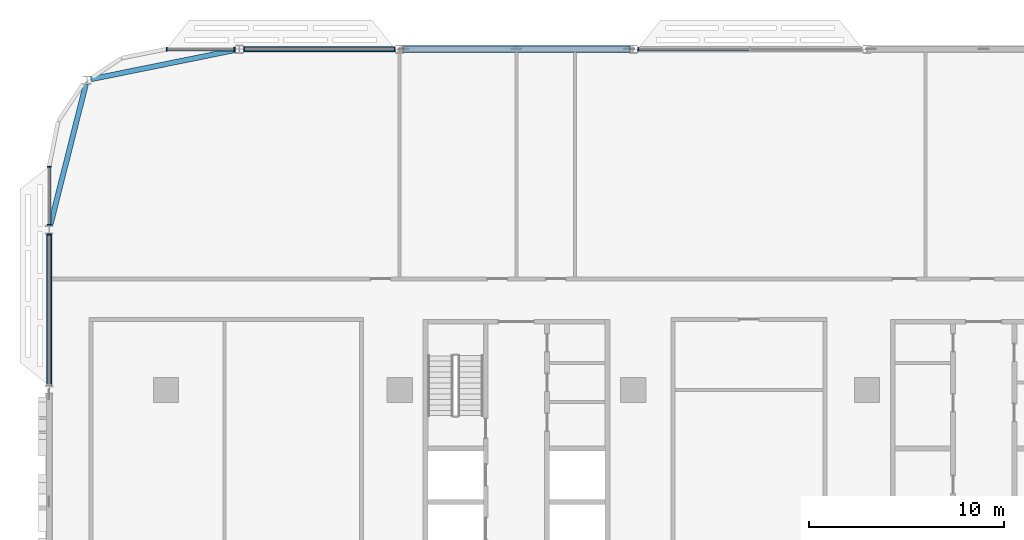
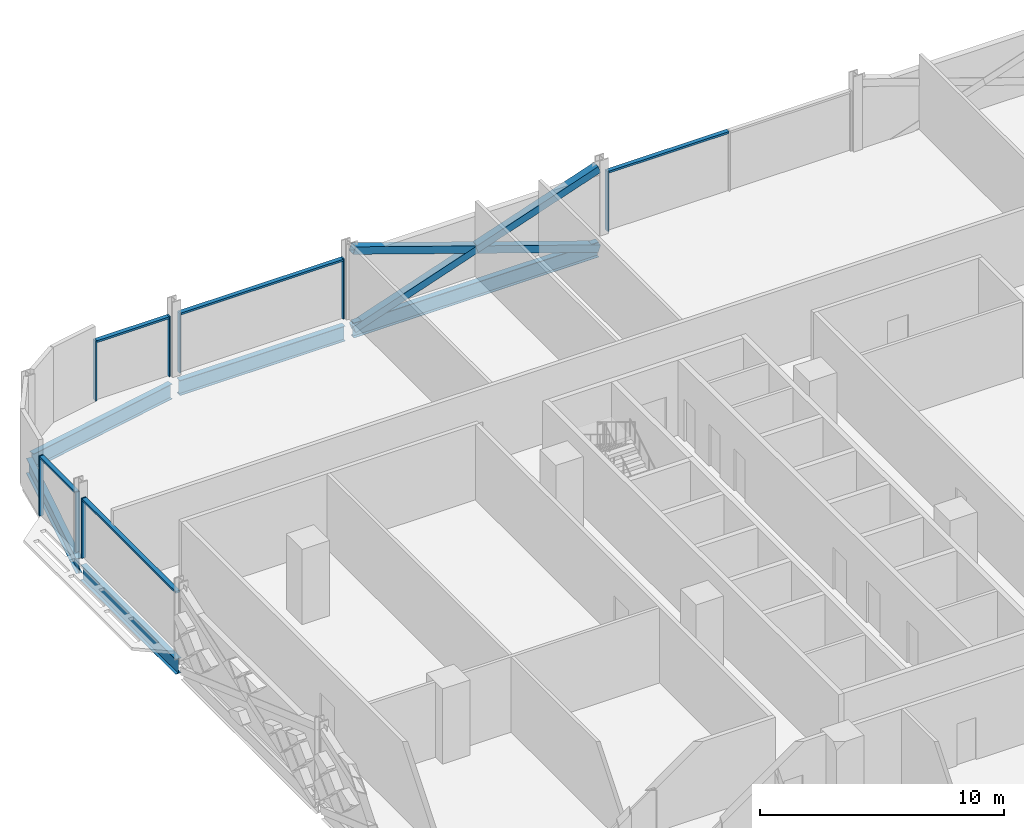
# One storey, part 6 of 29: 16 members, 5 beams, 5 elements without a shape of their own.
"""IFC4 building model written with IfcOpenShell, lengths in metres."""

import ifcopenshell
import ifcopenshell.guid

model = None  # the IFC model being written
_history = None  # IfcOwnerHistory: only IFC2X3 demands one
_inside = {}  # id of a spatial element -> (the spatial element, [elements in it])
_under = {}  # id of a project, library or spatial element -> (it, [spatial elements below it])
_declared = {}  # id of a project -> (the project, [libraries it declares])
_typed = {}  # id of a type object -> (the type object, [elements of that type])
_made_of = {}  # id of a material, layer set ... -> (it, [elements and type objects made of it])


def new_model(schema):
    """Start an empty IFC model of exactly this schema.

    Asked for "IFC4X3", IfcOpenShell would pick the latest addendum, in which some entities
    have other attributes; the version numbers below select the first issue.
    IFC2X3 requires an IfcOwnerHistory on every rooted entity: one is made here for all.
    """
    global model, _history
    if schema == "IFC4X3":
        model = ifcopenshell.file(schema_version=(4, 3, 0, 0))
    else:
        model = ifcopenshell.file(schema=schema)
    _inside.clear()
    _under.clear()
    _declared.clear()
    _typed.clear()
    _made_of.clear()
    _history = None
    if model.schema == "IFC2X3":
        org = make("IfcOrganization", Name="unknown")
        user = make(
            "IfcPersonAndOrganization",
            ThePerson=make("IfcPerson", FamilyName="unknown"),
            TheOrganization=org,
        )
        app = make(
            "IfcApplication",
            ApplicationDeveloper=org,
            Version="unknown",
            ApplicationFullName="unknown",
            ApplicationIdentifier="unknown",
        )
        _history = make(
            "IfcOwnerHistory",
            OwningUser=user,
            OwningApplication=app,
            ChangeAction="ADDED",
            CreationDate=0,
        )
    return model


def make(cls, **values):
    """One entity of the class cls with the attributes given. An attribute that is None is left unset."""
    return model.create_entity(
        cls, **{name: value for name, value in values.items() if value is not None}
    )


def rooted(cls, **values):
    """An entity with a GlobalId (a new one), such as an element, a storey or a relation."""
    return make(cls, GlobalId=ifcopenshell.guid.new(), OwnerHistory=_history, **values)


def si_unit(unit_type, name, prefix=None):
    """IfcSIUnit, for example si_unit("LENGTHUNIT", "METRE", prefix="MILLI")."""
    return make("IfcSIUnit", UnitType=unit_type, Prefix=prefix, Name=name)


def assignment(units):
    """IfcUnitAssignment: the units of a project."""
    return None if units is None else make("IfcUnitAssignment", Units=units)


def point(xyz):
    """IfcCartesianPoint."""
    return None if xyz is None else make("IfcCartesianPoint", Coordinates=xyz)


def direction(xyz):
    """IfcDirection."""
    return None if xyz is None else make("IfcDirection", DirectionRatios=xyz)


def frame(location, z_axis=None, x_axis=None):
    """IfcAxis2Placement3D, a coordinate frame: its origin and axes. An axis left out is left unset."""
    return make(
        "IfcAxis2Placement3D",
        Location=point(location),
        Axis=direction(z_axis),
        RefDirection=direction(x_axis),
    )


def frame_2d(location, x_axis=None):
    """IfcAxis2Placement2D, a coordinate frame in the plane: its origin and x axis."""
    return make(
        "IfcAxis2Placement2D", Location=point(location), RefDirection=direction(x_axis)
    )


def origin():
    """The frame at (0, 0, 0) with its axes left unset."""
    return frame((0.0, 0.0, 0.0))


def origin_2d():
    """The frame at (0, 0) in the plane with its x axis left unset."""
    return frame_2d((0.0, 0.0))


def place(relative_to, where):
    """IfcLocalPlacement: puts the frame where relative to a parent placement (None: the world)."""
    return make(
        "IfcLocalPlacement", PlacementRelTo=relative_to, RelativePlacement=where
    )


def context(
    kind, dimensions, precision=None, world=None, true_north=None, identifier=None
):
    """IfcGeometricRepresentationContext, for example the 3D "Model" context."""
    return make(
        "IfcGeometricRepresentationContext",
        ContextIdentifier=identifier,
        ContextType=kind,
        CoordinateSpaceDimension=dimensions,
        Precision=precision,
        WorldCoordinateSystem=world,
        TrueNorth=true_north,
    )


def subcontext(parent, identifier, kind, view, scale=None):
    """IfcGeometricRepresentationSubContext, for example "Body" below "Model"."""
    return make(
        "IfcGeometricRepresentationSubContext",
        ContextIdentifier=identifier,
        ContextType=kind,
        ParentContext=parent,
        TargetScale=scale,
        TargetView=view,
    )


def project(units=None, contexts=None):
    """IfcProject with its units and contexts."""
    return rooted(
        "IfcProject",
        Name="project",
        RepresentationContexts=contexts,
        UnitsInContext=assignment(units),
    )


def spatial(cls, under=None, at=None, **own):
    """A site, building, storey or space (cls), placed at a placement, below another one or the project."""
    s = rooted(cls, ObjectPlacement=at, **own)
    if under is not None:
        _under.setdefault(under.id(), (under, []))[1].append(s)
    return s


def profile(cls, at=None, kind="AREA", **sizes):
    """A parametric profile (cls). Its sizes go by their IFC names, for example OverallWidth=200.0."""
    return make(cls, ProfileType=kind, Position=at, **sizes)


def rectangle(**sizes):
    """IfcRectangleProfileDef."""
    return profile("IfcRectangleProfileDef", **sizes)


def hollow_rectangle(**sizes):
    """IfcRectangleHollowProfileDef."""
    return profile("IfcRectangleHollowProfileDef", **sizes)


def i_section(**sizes):
    """IfcIShapeProfileDef."""
    return profile("IfcIShapeProfileDef", **sizes)


def extrude(swept, where, along, depth):
    """IfcExtrudedAreaSolid: the profile swept, set in the frame where, extruded along a direction by depth."""
    return make(
        "IfcExtrudedAreaSolid",
        SweptArea=swept,
        Position=where,
        ExtrudedDirection=direction(along),
        Depth=depth,
    )


def shape(context_of_items, identifier, shape_type, items):
    """IfcShapeRepresentation: the items that make up one representation, for example the "Body"."""
    return make(
        "IfcShapeRepresentation",
        ContextOfItems=context_of_items,
        RepresentationIdentifier=identifier,
        RepresentationType=shape_type,
        Items=items,
    )


def material(Name=None, Category=None):
    """IfcMaterial."""
    return make("IfcMaterial", Name=Name, Category=Category)


def material_profile(
    of_material, cross_section, Name=None, Category=None, Priority=None
):
    """IfcMaterialProfile: a cross section and its material."""
    return make(
        "IfcMaterialProfile",
        Name=Name,
        Material=of_material,
        Profile=cross_section,
        Priority=Priority,
        Category=Category,
    )


def profile_set(profiles, Name=None, composite=None):
    """IfcMaterialProfileSet."""
    return make(
        "IfcMaterialProfileSet",
        Name=Name,
        MaterialProfiles=profiles,
        CompositeProfile=composite,
    )


def made_of(thing, what):
    """Note that an element or type object is made of a material, layer set ...; save() writes the relation."""
    if what is not None:
        _made_of.setdefault(what.id(), (what, []))[1].append(thing)
    return thing


def type_object(cls, material=None, **own):
    """A type object (cls), such as IfcWallType, which elements share."""
    return made_of(rooted(cls, **own), material)


def element(
    cls,
    number,
    at=None,
    inside=None,
    cuts=None,
    type_object=None,
    material=None,
    context=None,
    identifier="Body",
    shape_type=None,
    held_by="IfcProductDefinitionShape",
    body=None,
    shapes=None,
    **own,
):
    """One element of the class cls, such as IfcWall. Its Tag is "e" and its number.

    at: its placement. inside: the storey or other place that contains it. cuts: it is an
    opening in that element (IfcRelVoidsElement). A single representation is given by context,
    identifier, shape_type and body (its items); several are given by shapes. held_by: the class
    of the entity that holds the representations. save() writes the other relations.
    """
    e = rooted(cls, Tag="e%d" % number, ObjectPlacement=at, **own)
    if body is not None:
        shapes = [shape(context, identifier, shape_type, body)]
    if shapes is not None:
        e.Representation = make(held_by, Representations=shapes)
    if inside is not None:
        _inside.setdefault(inside.id(), (inside, []))[1].append(e)
    if cuts is not None:
        rooted(
            "IfcRelVoidsElement", RelatingBuildingElement=cuts, RelatedOpeningElement=e
        )
    if type_object is not None:
        _typed.setdefault(type_object.id(), (type_object, []))[1].append(e)
    return made_of(e, material)


def aggregate(whole, parts):
    """IfcRelAggregates: a whole, such as a stair, and the parts it consists of."""
    return rooted("IfcRelAggregates", RelatingObject=whole, RelatedObjects=parts)


def save(model, path):
    """Write the relations noted so far, then the file.

    IfcRelAggregates (storeys below a building ...), IfcRelContainedInSpatialStructure (elements
    in a storey), IfcRelDefinesByType, IfcRelAssociatesMaterial and IfcRelDeclares: one each for
    every whole, place, type object, material and project.
    """
    for whole, parts in _under.values():
        aggregate(whole, parts)
    for where, things in _inside.values():
        rooted(
            "IfcRelContainedInSpatialStructure",
            RelatedElements=things,
            RelatingStructure=where,
        )
    for kind, things in _typed.values():
        rooted("IfcRelDefinesByType", RelatedObjects=things, RelatingType=kind)
    for what, things in _made_of.values():
        rooted("IfcRelAssociatesMaterial", RelatedObjects=things, RelatingMaterial=what)
    for by, libraries in _declared.values():
        rooted("IfcRelDeclares", RelatingContext=by, RelatedDefinitions=libraries)
    model.write(path)


model = new_model("IFC4")

# Units and contexts
model_context = context("Model", 3, precision=1e-05, world=origin(), true_north=direction((0.0, 1.0)))
body_context = subcontext(model_context, "Body", "Model", "MODEL_VIEW")
ifc_project = project(units=[si_unit("LENGTHUNIT", "METRE"), si_unit("AREAUNIT", "SQUARE_METRE"), si_unit("VOLUMEUNIT", "CUBIC_METRE"), si_unit("PLANEANGLEUNIT", "RADIAN"), si_unit("MASSUNIT", "GRAM", prefix="KILO")], contexts=[model_context])

# Site, building, storey
site_placement = place(None, origin())
site = spatial("IfcSite", under=ifc_project, at=site_placement, CompositionType="ELEMENT")
building_placement = place(site_placement, origin())
building = spatial("IfcBuilding", under=site, at=building_placement, Name="Mahtab Terrace Research Tower", CompositionType="ELEMENT")
storey_placement = place(building_placement, frame((0.0, 0.0, 146.60009765625)))
storey = spatial("IfcBuildingStorey", under=building, at=storey_placement, Name="L34", CompositionType="ELEMENT", Elevation=146.60009765625)

# Members
ifc_material_1 = material(Name="Steel ASTM A500 Gr C", Category="steel")
ifc_material_profile_1 = material_profile(ifc_material_1, hollow_rectangle(XDim=0.355712890625, YDim=0.355712890625, WallThickness=0.01904296875, at=origin_2d()), Name="HSS14X14X3/4")
ifc_profile_set_1 = profile_set([ifc_material_profile_1], Name="Steel ASTM A500 Gr C")
member_type_1 = type_object("IfcMemberType", Name="HSS 14x14x3/4 brace XB141434", PredefinedType="BRACE", material=ifc_profile_set_1)
member_1_placement = place(storey_placement, frame((-18.205810546875, 29.0, -0.648193359375), z_axis=(-0.946294377485, 0.0, 0.323306280699), x_axis=(0.0, -1.0, 0.0)))
element("IfcMember", 1, at=member_1_placement, inside=storey, type_object=member_type_1, Name="Exoskeleton brace L34 06 a", PredefinedType="BRACE", context=body_context, shape_type="SweptSolid", body=[
    extrude(hollow_rectangle(XDim=0.355712890625, YDim=0.355712890625, WallThickness=0.01904296875, at=origin_2d()), origin(), (0.0, 0.0, 1.0), 12.24609375),
])
for number, where, z_axis, x_axis, name in (
    (2, (-29.794189453125, 29.0, -0.648193359375), (0.946288278, 0.0, 0.323324132908), (0.0, 1.0, 0.0), "Exoskeleton brace L34 06 b1"),
    (3, (-24.0, 29.0, 1.33154296875), (0.946300476713, 0.0, 0.323288428146), (0.0, 1.0, 0.0), "Exoskeleton brace L34 06 b2"),
):
    element("IfcMember", number, at=place(storey_placement, frame(where, z_axis=z_axis, x_axis=x_axis)), inside=storey, type_object=member_type_1, Name=name, PredefinedType="BRACE", context=body_context, shape_type="SweptSolid", body=[
        extrude(hollow_rectangle(XDim=0.355712890625, YDim=0.355712890625, WallThickness=0.01904296875, at=origin_2d()), origin(), (0.0, 0.0, 1.0), 6.123046875),
    ])

# Curtain wall, member
ifc_material_2 = material(Name="Laboratory ribbon curtain wall")
curtain_wall_type = type_object("IfcCurtainWallType", Name="Laboratory ribbon curtain wall", PredefinedType="NOTDEFINED", material=ifc_material_2)
curtain_wall_1_placement = place(storey_placement, origin())
curtain_wall_1 = element("IfcCurtainWall", 4, at=curtain_wall_1_placement, inside=storey, type_object=curtain_wall_type, Name="EN.L34.3.7", PredefinedType="NOTDEFINED")
ifc_material_3 = material(Name="Natural anodised aluminium", Category="aluminium")
ifc_material_profile_2 = material_profile(ifc_material_3, rectangle(XDim=0.199951171875, YDim=0.06494140625, at=origin_2d()), Name="MULLION 65x200")
ifc_profile_set_2 = profile_set([ifc_material_profile_2], Name="Natural anodised aluminium")
member_type_2 = type_object("IfcMemberType", Name="Laboratory ribbon curtain wall mullion", PredefinedType="MULLION", material=ifc_profile_set_2)
member_2_placement = place(storey_placement, frame((-17.74951171875, 29.0, 0.0), z_axis=(0.0, 0.0, 1.0), x_axis=(0.0, -1.0, 0.0)))
member_2 = element("IfcMember", 5, at=member_2_placement, type_object=member_type_2, Name="CWL-4 mullion 3", PredefinedType="MULLION", context=body_context, shape_type="SweptSolid", body=[
    extrude(rectangle(XDim=0.199951171875, YDim=0.06494140625, at=origin_2d()), origin(), (0.0, 0.0, 1.0), 3.0029296875),
])

# Curtain wall, members
curtain_wall_2_placement = place(storey_placement, origin())
curtain_wall_2 = element("IfcCurtainWall", 6, at=curtain_wall_2_placement, inside=storey, type_object=curtain_wall_type, Name="EN.L34.3.9", PredefinedType="NOTDEFINED")
member_3_placement = place(storey_placement, frame((-30.25048828125, 29.0, 0.0), z_axis=(0.0, 0.0, 1.0), x_axis=(0.0, -1.0, 0.0)))
member_3 = element("IfcMember", 7, at=member_3_placement, type_object=member_type_2, Name="CWL-4 mullion 1", PredefinedType="MULLION", context=body_context, shape_type="SweptSolid", body=[
    extrude(rectangle(XDim=0.199951171875, YDim=0.06494140625, at=origin_2d()), origin(), (0.0, 0.0, 1.0), 3.0029296875),
])
member_4_placement = place(storey_placement, frame((-37.98046875, 29.0, 0.0), z_axis=(0.0, 0.0, 1.0), x_axis=(0.0, -1.0, 0.0)))
member_4 = element("IfcMember", 8, at=member_4_placement, type_object=member_type_2, Name="CWL-4 mullion 2", PredefinedType="MULLION", context=body_context, shape_type="SweptSolid", body=[
    extrude(rectangle(XDim=0.199951171875, YDim=0.06494140625, at=origin_2d()), origin(), (0.0, 0.0, 1.0), 3.0029296875),
])

curtain_wall_3_placement = place(storey_placement, origin())
curtain_wall_3 = element("IfcCurtainWall", 9, at=curtain_wall_3_placement, inside=storey, type_object=curtain_wall_type, Name="EN.L34.3.10", PredefinedType="NOTDEFINED")
member_5_placement = place(storey_placement, frame((-38.4814453125, 29.0, 0.0), z_axis=(0.0, 0.0, 1.0), x_axis=(0.0, -1.0, 0.0)))
member_5 = element("IfcMember", 10, at=member_5_placement, type_object=member_type_2, Name="CWL-4 mullion 1", PredefinedType="MULLION", context=body_context, shape_type="SweptSolid", body=[
    extrude(rectangle(XDim=0.199951171875, YDim=0.06494140625, at=origin_2d()), origin(), (0.0, 0.0, 1.0), 3.0029296875),
])
member_6_placement = place(storey_placement, frame((-41.967529296875, 29.0, 0.0), z_axis=(0.0, 0.0, 1.0), x_axis=(0.0, -1.0, 0.0)))
member_6 = element("IfcMember", 11, at=member_6_placement, type_object=member_type_2, Name="CWL-4 mullion 2", PredefinedType="MULLION", context=body_context, shape_type="SweptSolid", body=[
    extrude(rectangle(XDim=0.199951171875, YDim=0.06494140625, at=origin_2d()), origin(), (0.0, 0.0, 1.0), 3.0029296875),
])

curtain_wall_4_placement = place(storey_placement, origin())
curtain_wall_4 = element("IfcCurtainWall", 12, at=curtain_wall_4_placement, inside=storey, type_object=curtain_wall_type, Name="EN.L34.8.15", PredefinedType="NOTDEFINED")
member_7_placement = place(storey_placement, frame((-48.0, 22.967529296875, 0.0), z_axis=(0.0, 0.0, 1.0), x_axis=(1.0, 0.0, 0.0)))
member_7 = element("IfcMember", 13, at=member_7_placement, type_object=member_type_2, Name="CWL-4 mullion 1", PredefinedType="MULLION", context=body_context, shape_type="SweptSolid", body=[
    extrude(rectangle(XDim=0.199951171875, YDim=0.06494140625, at=origin_2d()), origin(), (0.0, 0.0, 1.0), 3.0029296875),
])
member_8_placement = place(storey_placement, frame((-48.0, 19.9814453125, 0.0), z_axis=(0.0, 0.0, 1.0), x_axis=(1.0, 0.0, 0.0)))
member_8 = element("IfcMember", 14, at=member_8_placement, type_object=member_type_2, Name="CWL-4 mullion 2", PredefinedType="MULLION", context=body_context, shape_type="SweptSolid", body=[
    extrude(rectangle(XDim=0.199951171875, YDim=0.06494140625, at=origin_2d()), origin(), (0.0, 0.0, 1.0), 3.0029296875),
])

# Curtain wall, member
curtain_wall_5_placement = place(storey_placement, origin())
curtain_wall_5 = element("IfcCurtainWall", 15, at=curtain_wall_5_placement, inside=storey, type_object=curtain_wall_type, Name="EN.L34.8.16", PredefinedType="NOTDEFINED")
member_9_placement = place(storey_placement, frame((-48.0, 19.48046875, 0.0), z_axis=(0.0, 0.0, 1.0), x_axis=(1.0, 0.0, 0.0)))
member_9 = element("IfcMember", 16, at=member_9_placement, type_object=member_type_2, Name="CWL-4 mullion 1", PredefinedType="MULLION", context=body_context, shape_type="SweptSolid", body=[
    extrude(rectangle(XDim=0.199951171875, YDim=0.06494140625, at=origin_2d()), origin(), (0.0, 0.0, 1.0), 3.0029296875),
])

# Member
ifc_material_profile_3 = material_profile(ifc_material_3, rectangle(XDim=0.199951171875, YDim=0.10009765625, at=origin_2d()), Name="TRANSOM 100x200")
ifc_profile_set_3 = profile_set([ifc_material_profile_3], Name="Natural anodised aluminium")
member_type_3 = type_object("IfcMemberType", Name="Laboratory ribbon curtain wall transom", PredefinedType="USERDEFINED", material=ifc_profile_set_3)
member_10_placement = place(storey_placement, frame((-12.032470703125, 29.0, 2.952880859375), z_axis=(-1.0, 0.0, 0.0), x_axis=(0.0, -1.0, 0.0)))
member_10 = element("IfcMember", 17, at=member_10_placement, type_object=member_type_3, Name="CWL-4 transom 2", ObjectType="TRANSOM", PredefinedType="USERDEFINED", context=body_context, shape_type="SweptSolid", body=[
    extrude(rectangle(XDim=0.199951171875, YDim=0.10009765625, at=origin_2d()), origin(), (0.0, 0.0, 1.0), 5.6845703125),
])

aggregate(curtain_wall_1, [member_2, member_10])

member_11_placement = place(storey_placement, frame((-30.282958984375, 29.0, 2.952880859375), z_axis=(-1.0, 0.0, 0.0), x_axis=(0.0, -1.0, 0.0)))
member_11 = element("IfcMember", 18, at=member_11_placement, type_object=member_type_3, Name="CWL-4 transom 1", ObjectType="TRANSOM", PredefinedType="USERDEFINED", context=body_context, shape_type="SweptSolid", body=[
    extrude(rectangle(XDim=0.199951171875, YDim=0.10009765625, at=origin_2d()), origin(), (0.0, 0.0, 1.0), 7.6650390625),
])

aggregate(curtain_wall_2, [member_3, member_4, member_11])

member_12_placement = place(storey_placement, frame((-38.513916015625, 29.0, 2.952880859375), z_axis=(-1.0, 0.0, 0.0), x_axis=(0.0, -1.0, 0.0)))
member_12 = element("IfcMember", 19, at=member_12_placement, type_object=member_type_3, Name="CWL-4 transom 1", ObjectType="TRANSOM", PredefinedType="USERDEFINED", context=body_context, shape_type="SweptSolid", body=[
    extrude(rectangle(XDim=0.199951171875, YDim=0.10009765625, at=origin_2d()), origin(), (0.0, 0.0, 1.0), 3.421142578125),
])

aggregate(curtain_wall_3, [member_5, member_6, member_12])

member_13_placement = place(storey_placement, frame((-48.0, 22.93505859375, 2.952880859375), z_axis=(0.0, -1.0, 0.0), x_axis=(1.0, 0.0, 0.0)))
member_13 = element("IfcMember", 20, at=member_13_placement, type_object=member_type_3, Name="CWL-4 transom 1", ObjectType="TRANSOM", PredefinedType="USERDEFINED", context=body_context, shape_type="SweptSolid", body=[
    extrude(rectangle(XDim=0.199951171875, YDim=0.10009765625, at=origin_2d()), origin(), (0.0, 0.0, 1.0), 2.921142578125),
])

aggregate(curtain_wall_4, [member_7, member_8, member_13])

member_14_placement = place(storey_placement, frame((-48.0, 19.447998046875, 2.952880859375), z_axis=(0.0, -1.0, 0.0), x_axis=(1.0, 0.0, 0.0)))
member_14 = element("IfcMember", 21, at=member_14_placement, type_object=member_type_3, Name="CWL-4 transom 1", ObjectType="TRANSOM", PredefinedType="USERDEFINED", context=body_context, shape_type="SweptSolid", body=[
    extrude(rectangle(XDim=0.199951171875, YDim=0.10009765625, at=origin_2d()), origin(), (0.0, 0.0, 1.0), 7.6650390625),
])

aggregate(curtain_wall_5, [member_9, member_14])

# Beams
ifc_material_4 = material(Name="Steel ASTM A992 Gr 50", Category="steel")
ifc_material_profile_4 = material_profile(ifc_material_4, i_section(OverallWidth=0.2666015625, OverallDepth=0.7568359375, WebThickness=0.013916015625, FlangeThickness=0.019287109375, at=origin_2d()), Name="W30X108")
ifc_profile_set_4 = profile_set([ifc_material_profile_4], Name="Steel ASTM A992 Gr 50")
beam_type = type_object("IfcBeamType", Name="W30x108 beam BS30108", PredefinedType="BEAM", material=ifc_profile_set_4)
beam_1_placement = place(storey_placement, frame((-18.205810546875, 29.0, -0.718505859375), z_axis=(-1.0, 0.0, 0.0), x_axis=(0.0, -1.0, 0.0)))
element("IfcBeam", 22, at=beam_1_placement, inside=storey, type_object=beam_type, Name="Spandrel beam L34 06", PredefinedType="BEAM", context=body_context, shape_type="SweptSolid", body=[
    extrude(i_section(OverallWidth=0.2666015625, OverallDepth=0.7568359375, WebThickness=0.013916015625, FlangeThickness=0.019287109375, at=origin_2d()), origin(), (0.0, 0.0, 1.0), 11.58837890625),
])
beam_2_placement = place(storey_placement, frame((-30.205810546875, 29.0, -0.718505859375), z_axis=(-1.0, 0.0, 0.0), x_axis=(0.0, -1.0, 0.0)))
element("IfcBeam", 23, at=beam_2_placement, inside=storey, type_object=beam_type, Name="Spandrel beam L34 07", PredefinedType="BEAM", context=body_context, shape_type="SweptSolid", body=[
    extrude(i_section(OverallWidth=0.2666015625, OverallDepth=0.7568359375, WebThickness=0.013916015625, FlangeThickness=0.019287109375, at=origin_2d()), origin(), (0.0, 0.0, 1.0), 7.8193359375),
])
beam_3_placement = place(storey_placement, frame((-38.436767578125, 28.95849609375, -0.718505859375), z_axis=(-0.980144108674, -0.198286475161, 0.0), x_axis=(0.198286475161, -0.980144108674, 0.0)))
element("IfcBeam", 24, at=beam_3_placement, inside=storey, type_object=beam_type, Name="Spandrel beam L34 08", PredefinedType="BEAM", context=body_context, shape_type="SweptSolid", body=[
    extrude(i_section(OverallWidth=0.2666015625, OverallDepth=0.7568359375, WebThickness=0.013916015625, FlangeThickness=0.019287109375, at=origin_2d()), origin(), (0.0, 0.0, 1.0), 7.56982421875),
])
beam_4_placement = place(storey_placement, frame((-46.11669921875, 27.19873046875, -0.718505859375), z_axis=(-0.244547874366, -0.969637219347, 0.0), x_axis=(0.969637219347, -0.244547874366, 0.0)))
element("IfcBeam", 25, at=beam_4_placement, inside=storey, type_object=beam_type, Name="Spandrel beam L34 09", PredefinedType="BEAM", context=body_context, shape_type="SweptSolid", body=[
    extrude(i_section(OverallWidth=0.2666015625, OverallDepth=0.7568359375, WebThickness=0.013916015625, FlangeThickness=0.019287109375, at=origin_2d()), origin(), (0.0, 0.0, 1.0), 7.4775390625),
])
beam_5_placement = place(storey_placement, frame((-48.0, 19.513916015625, -0.718505859375), z_axis=(0.0, -1.0, 0.0), x_axis=(1.0, 0.0, 0.0)))
element("IfcBeam", 26, at=beam_5_placement, inside=storey, type_object=beam_type, Name="Spandrel beam L34 10", PredefinedType="BEAM", context=body_context, shape_type="SweptSolid", body=[
    extrude(i_section(OverallWidth=0.2666015625, OverallDepth=0.7568359375, WebThickness=0.013916015625, FlangeThickness=0.019287109375, at=origin_2d()), origin(), (0.0, 0.0, 1.0), 7.796875),
])

save(model, "model.ifc")
